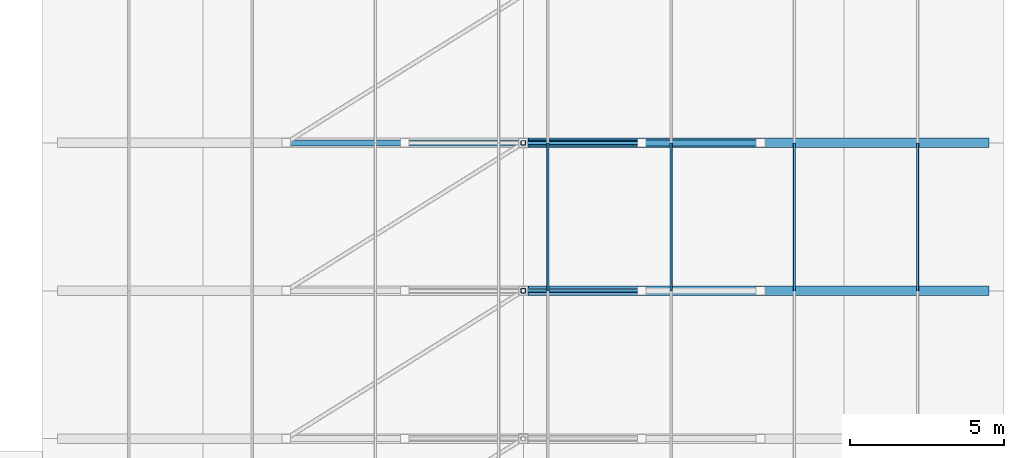
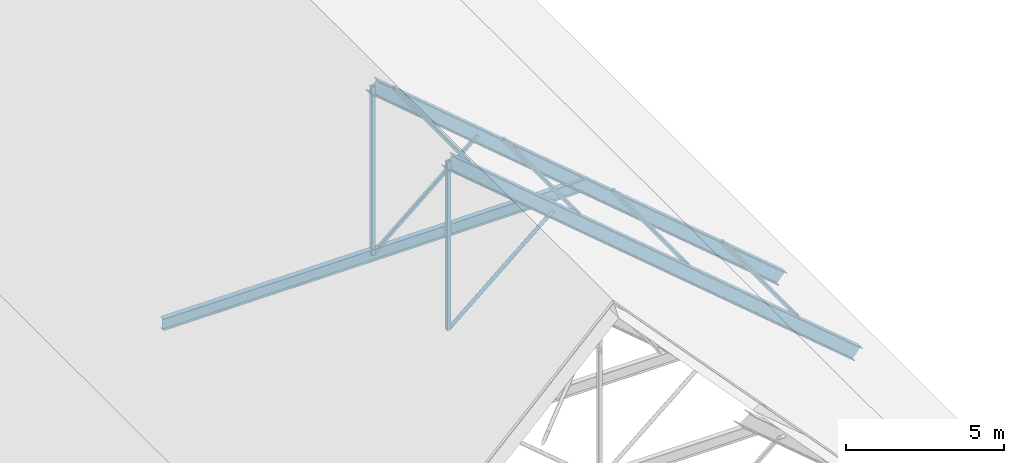
# One storey, part 28 of 60: 8 members, 3 beams.
"""IFC4 building model written with IfcOpenShell, lengths in metres."""

from ifc_helpers import new_model, si_unit, direction, frame, origin, origin_2d, place, context, subcontext, project, spatial, hollow_rectangle, hollow_circle, i_section, extrude, material, material_profile, profile_set, type_object, element, save


model = new_model("IFC4")

# Units and contexts
model_context = context("Model", 3, precision=1e-05, world=origin(), true_north=direction((0.0, 1.0)))
body_context = subcontext(model_context, "Body", "Model", "MODEL_VIEW")
ifc_project = project(units=[si_unit("LENGTHUNIT", "METRE"), si_unit("AREAUNIT", "SQUARE_METRE"), si_unit("VOLUMEUNIT", "CUBIC_METRE"), si_unit("PLANEANGLEUNIT", "RADIAN"), si_unit("MASSUNIT", "GRAM", prefix="KILO")], contexts=[model_context])

# Site, building, storey
site_placement = place(None, origin())
site = spatial("IfcSite", under=ifc_project, at=site_placement, CompositionType="ELEMENT")
building_placement = place(site_placement, origin())
building = spatial("IfcBuilding", under=site, at=building_placement, Name="Nakhvara Creek Congress Hotel", CompositionType="ELEMENT")
storey_placement = place(building_placement, frame((0.0, 0.0, 54.60009765625)))
storey = spatial("IfcBuildingStorey", under=building, at=storey_placement, Name="RL1", CompositionType="ELEMENT", Elevation=54.60009765625)

# Beams
ifc_material_1 = material(Name="Steel S355J2", Category="steel")
ifc_material_profile_1 = material_profile(ifc_material_1, i_section(OverallWidth=0.300048828125, OverallDepth=0.5, WebThickness=0.014404296875, FlangeThickness=0.028076171875, FilletRadius=0.027099609375, at=origin_2d()), Name="HEB 500", Category="LoadBearing")
ifc_profile_set_1 = profile_set([ifc_material_profile_1], Name="Steel S355J2")
beam_type_1 = type_object("IfcBeamType", Name="BM-ST-HEB500", PredefinedType="BEAM", material=ifc_profile_set_1)
for number, where, z_axis, x_axis, name in (
    (1, (164.39990234375, 97.199951171875, 8.11376953125), (0.763392905421, 0.0, -0.645934417687), (0.0, 1.0, 0.0), "Hotel Gothic Gable East Rafter 06"),
    (2, (164.39990234375, 102.0, 8.11376953125), (0.763392905421, 0.0, -0.645934417687), (0.0, 1.0, 0.0), "Hotel Gothic Gable East Rafter 07"),
):
    element("IfcBeam", number, at=place(storey_placement, frame(where, z_axis=z_axis, x_axis=x_axis)), inside=storey, type_object=beam_type_1, Name=name, PredefinedType="BEAM", context=body_context, shape_type="SweptSolid", body=[
        extrude(i_section(OverallWidth=0.300048828125, OverallDepth=0.5, WebThickness=0.014404296875, FlangeThickness=0.028076171875, FilletRadius=0.027099609375, at=origin_2d()), origin(), (0.0, 0.0, 1.0), 19.583984375),
    ])
ifc_material_profile_2 = material_profile(ifc_material_1, i_section(OverallWidth=0.1904296875, OverallDepth=0.45703125, WebThickness=0.009033203125, FlangeThickness=0.014404296875, FilletRadius=0.01025390625, at=origin_2d()), Name="UB 457x191x74", Category="LoadBearing")
ifc_profile_set_2 = profile_set([ifc_material_profile_2], Name="Steel S355J2")
beam_type_2 = type_object("IfcBeamType", Name="BM-ST-UB457", PredefinedType="BEAM", material=ifc_profile_set_2)
beam_placement = place(storey_placement, frame((156.70166015625, 102.0, 1.599853515625), z_axis=(1.0, 0.0, 0.0), x_axis=(0.0, 1.0, 0.0)))
element("IfcBeam", 3, at=beam_placement, inside=storey, type_object=beam_type_2, Name="Hotel Gothic Gable Collar Tie 07", PredefinedType="BEAM", context=body_context, shape_type="SweptSolid", body=[
    extrude(i_section(OverallWidth=0.1904296875, OverallDepth=0.45703125, WebThickness=0.009033203125, FlangeThickness=0.014404296875, FilletRadius=0.01025390625, at=origin_2d()), origin(), (0.0, 0.0, 1.0), 15.396728515625),
])

# Members
ifc_material_2 = material(Name="Steel S355J2H", Category="steel")
ifc_material_profile_3 = material_profile(ifc_material_2, hollow_circle(Radius=0.06982421875, WallThickness=0.008056640625, at=origin_2d()), Name="CHS 139.7x8.0", Category="LoadBearing")
ifc_profile_set_3 = profile_set([ifc_material_profile_3], Name="Steel S355J2H")
member_type_1 = type_object("IfcMemberType", Name="MEM-BRC-CHS139H", PredefinedType="BRACE", material=ifc_profile_set_3)
member_1_placement = place(storey_placement, frame((164.39990234375, 97.199951171875, 1.599853515625), z_axis=(0.763373429147, 0.0, 0.645957434876), x_axis=(0.0, 1.0, 0.0)))
element("IfcMember", 4, at=member_1_placement, inside=storey, type_object=member_type_1, Name="Hotel Gable Web Brace E-06", PredefinedType="BRACE", context=body_context, shape_type="SweptSolid", body=[
    extrude(hollow_circle(Radius=0.06982421875, WallThickness=0.008056640625, at=origin_2d()), origin(), (0.0, 0.0, 1.0), 5.042236328125),
])
ifc_material_profile_4 = material_profile(ifc_material_2, hollow_rectangle(XDim=0.1201171875, YDim=0.1201171875, WallThickness=0.008056640625, InnerFilletRadius=0.008056640625, OuterFilletRadius=0.01611328125, at=origin_2d()), Name="SHS 120x120x8.0", Category="LoadBearing")
ifc_profile_set_4 = profile_set([ifc_material_profile_4], Name="Steel S355J2H")
member_type_2 = type_object("IfcMemberType", Name="MEM-BRC-SHS120", PredefinedType="BRACE", material=ifc_profile_set_4)
member_2_placement = place(storey_placement, frame((164.39990234375, 102.0, 1.599853515625), z_axis=(0.763373429147, 0.0, 0.645957434876), x_axis=(0.0, 1.0, 0.0)))
element("IfcMember", 5, at=member_2_placement, inside=storey, type_object=member_type_2, Name="Hotel Gable Web Brace E-07", PredefinedType="BRACE", context=body_context, shape_type="SweptSolid", body=[
    extrude(hollow_rectangle(XDim=0.1201171875, YDim=0.1201171875, WallThickness=0.008056640625, InnerFilletRadius=0.008056640625, OuterFilletRadius=0.01611328125, at=origin_2d()), origin(), (0.0, 0.0, 1.0), 5.042236328125),
])
ifc_material_profile_5 = material_profile(ifc_material_2, hollow_rectangle(XDim=0.080078125, YDim=0.159912109375, WallThickness=0.00634765625, InnerFilletRadius=0.00634765625, OuterFilletRadius=0.0126953125, at=origin_2d()), Name="RHS 160x80x6.3", Category="LoadBearing")
ifc_profile_set_5 = profile_set([ifc_material_profile_5], Name="Steel S355J2H")
member_type_3 = type_object("IfcMemberType", Name="MEM-PUR-RHS160", PredefinedType="PURLIN", material=ifc_profile_set_5)
for number, where, z_axis, x_axis, name in (
    (6, (165.199951171875, 97.199951171875, 7.7568359375), (0.0, 1.0, 0.0), (-1.0, 0.0, 0.0), "Hotel Gable Purlin PR03-5.06"),
    (7, (169.199951171875, 97.199951171875, 4.372314453125), (0.0, 1.0, 0.0), (-1.0, 0.0, 0.0), "Hotel Gable Purlin PR03-6.06"),
    (8, (173.199951171875, 97.199951171875, 0.98779296875), (0.0, 1.0, 0.0), (-1.0, 0.0, 0.0), "Hotel Gable Purlin PR03-7.06"),
    (9, (177.199951171875, 97.199951171875, -2.39697265625), (0.0, 1.0, 0.0), (-1.0, 0.0, 0.0), "Hotel Gable Purlin PR03-8.06"),
):
    element("IfcMember", number, at=place(storey_placement, frame(where, z_axis=z_axis, x_axis=x_axis)), inside=storey, type_object=member_type_3, Name=name, PredefinedType="PURLIN", context=body_context, shape_type="SweptSolid", body=[
        extrude(hollow_rectangle(XDim=0.080078125, YDim=0.159912109375, WallThickness=0.00634765625, InnerFilletRadius=0.00634765625, OuterFilletRadius=0.0126953125, at=origin_2d()), origin(), (0.0, 0.0, 1.0), 4.800048828125),
    ])
ifc_material_profile_6 = material_profile(ifc_material_2, hollow_rectangle(XDim=0.14990234375, YDim=0.14990234375, WallThickness=0.008056640625, InnerFilletRadius=0.008056640625, OuterFilletRadius=0.01611328125, at=origin_2d()), Name="SHS 150x150x8.0", Category="LoadBearing")
ifc_profile_set_6 = profile_set([ifc_material_profile_6], Name="Steel S355J2H")
member_type_4 = type_object("IfcMemberType", Name="MEM-STR-SHS150", PredefinedType="STRUT", material=ifc_profile_set_6)
for number, where, z_axis, x_axis, name in (
    (10, (164.39990234375, 97.199951171875, 1.599853515625), (0.0, 0.0, 1.0), (1.0, 0.0, 0.0), "Hotel Gable King-Post Strut 06"),
    (11, (164.39990234375, 102.0, 1.599853515625), (0.0, 0.0, 1.0), (1.0, 0.0, 0.0), "Hotel Gable King-Post Strut 07"),
):
    element("IfcMember", number, at=place(storey_placement, frame(where, z_axis=z_axis, x_axis=x_axis)), inside=storey, type_object=member_type_4, Name=name, PredefinedType="STRUT", context=body_context, shape_type="SweptSolid", body=[
        extrude(hollow_rectangle(XDim=0.14990234375, YDim=0.14990234375, WallThickness=0.008056640625, InnerFilletRadius=0.008056640625, OuterFilletRadius=0.01611328125, at=origin_2d()), origin(), (0.0, 0.0, 1.0), 6.513916015625),
    ])

save(model, "model.ifc")
